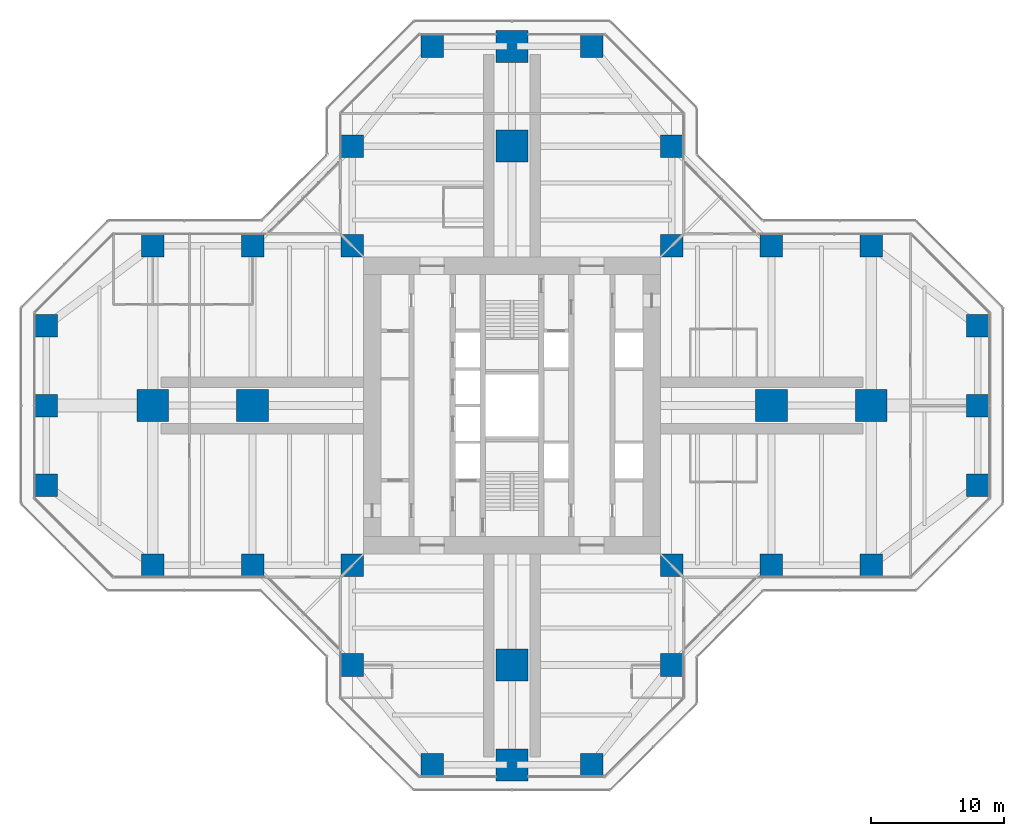
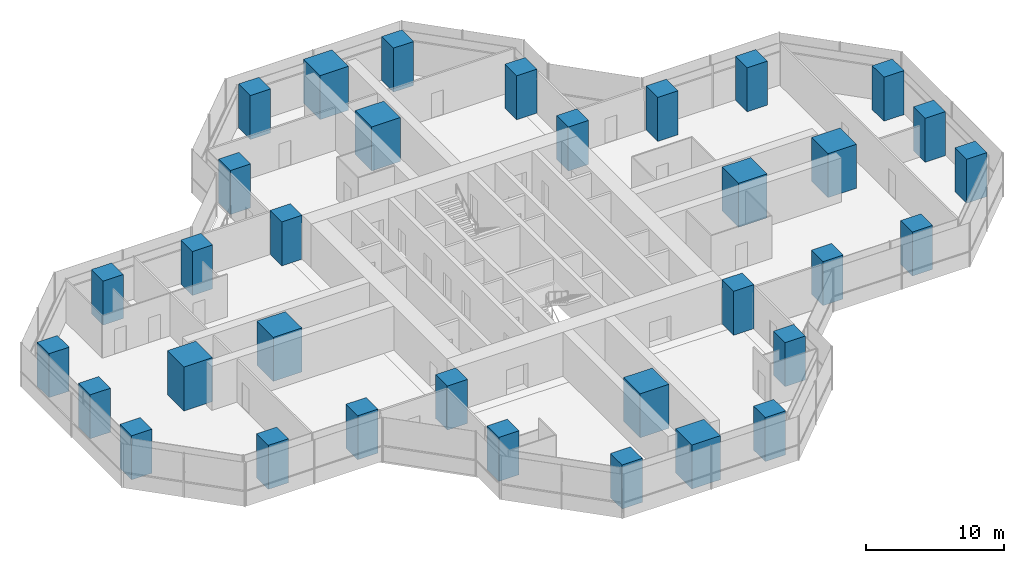
# One storey, part 1 of 19: 34 columns.
"""IFC4 building model written with IfcOpenShell, lengths in metres."""

from ifc_helpers import new_model, si_unit, direction, frame, origin, origin_2d, place, context, subcontext, project, spatial, rectangle, extrude, material, material_profile, profile_set, type_object, element, save


model = new_model("IFC4")

# Units and contexts
model_context = context("Model", 3, precision=1e-05, world=origin(), true_north=direction((0.0, 1.0)))
body_context = subcontext(model_context, "Body", "Model", "MODEL_VIEW")
ifc_project = project(units=[si_unit("LENGTHUNIT", "METRE"), si_unit("AREAUNIT", "SQUARE_METRE"), si_unit("VOLUMEUNIT", "CUBIC_METRE"), si_unit("PLANEANGLEUNIT", "RADIAN"), si_unit("MASSUNIT", "GRAM", prefix="KILO")], contexts=[model_context])

# Site, building, storey
site_placement = place(None, origin())
site = spatial("IfcSite", under=ifc_project, at=site_placement, CompositionType="ELEMENT")
building_placement = place(site_placement, origin())
building = spatial("IfcBuilding", under=site, at=building_placement, Name="Mizan Broadcast Tower", CompositionType="ELEMENT")
storey_placement = place(building_placement, frame((0.0, 0.0, 167.10009765625)))
storey = spatial("IfcBuildingStorey", under=building, at=storey_placement, Name="L38", CompositionType="ELEMENT", Elevation=167.10009765625)

# Columns
ifc_material_1 = material(Name="Concrete C70/85", Category="concrete")
ifc_material_profile_1 = material_profile(ifc_material_1, rectangle(XDim=1.699951171875, YDim=1.699951171875, at=origin_2d()), Name="RC 1700x1700")
ifc_profile_set_1 = profile_set([ifc_material_profile_1], Name="Concrete C70/85")
column_type_1 = type_object("IfcColumnType", Name="RC COLUMN 1700x1700 C70/85", PredefinedType="COLUMN", material=ifc_profile_set_1)
for number, where, z_axis, x_axis, name in (
    (1, (-6.0, -27.0, 0.0), (0.0, 0.0, 1.0), (1.0, 0.0, 0.0), "Column 5/B L38"),
    (2, (6.0, -27.0, 0.0), (0.0, 0.0, 1.0), (1.0, 0.0, 0.0), "Column 7/B L38"),
    (3, (-12.0, -19.5, 0.0), (0.0, 0.0, 1.0), (1.0, 0.0, 0.0), "Column 4/C L38"),
    (4, (12.0, -19.5, 0.0), (0.0, 0.0, 1.0), (1.0, 0.0, 0.0), "Column 8/C L38"),
    (5, (-27.0, -12.0, 0.0), (0.0, 0.0, 1.0), (1.0, 0.0, 0.0), "Column 2/D L38"),
    (6, (-19.5, -12.0, 0.0), (0.0, 0.0, 1.0), (1.0, 0.0, 0.0), "Column 3/D L38"),
    (7, (-12.0, -12.0, 0.0), (0.0, 0.0, 1.0), (1.0, 0.0, 0.0), "Column 4/D L38"),
    (8, (12.0, -12.0, 0.0), (0.0, 0.0, 1.0), (1.0, 0.0, 0.0), "Column 8/D L38"),
    (9, (19.5, -12.0, 0.0), (0.0, 0.0, 1.0), (1.0, 0.0, 0.0), "Column 9/D L38"),
    (10, (27.0, -12.0, 0.0), (0.0, 0.0, 1.0), (1.0, 0.0, 0.0), "Column 10/D L38"),
    (11, (-35.0, -6.0, 0.0), (0.0, 0.0, 1.0), (1.0, 0.0, 0.0), "Column 1/E L38"),
    (12, (35.0, -6.0, 0.0), (0.0, 0.0, 1.0), (1.0, 0.0, 0.0), "Column 11/E L38"),
    (13, (-35.0, 0.0, 0.0), (0.0, 0.0, 1.0), (1.0, 0.0, 0.0), "Column 1/F L38"),
    (14, (35.0, 0.0, 0.0), (0.0, 0.0, 1.0), (1.0, 0.0, 0.0), "Column 11/F L38"),
    (15, (-35.0, 6.0, 0.0), (0.0, 0.0, 1.0), (1.0, 0.0, 0.0), "Column 1/G L38"),
    (16, (35.0, 6.0, 0.0), (0.0, 0.0, 1.0), (1.0, 0.0, 0.0), "Column 11/G L38"),
    (17, (-27.0, 12.0, 0.0), (0.0, 0.0, 1.0), (1.0, 0.0, 0.0), "Column 2/H L38"),
    (18, (-19.5, 12.0, 0.0), (0.0, 0.0, 1.0), (1.0, 0.0, 0.0), "Column 3/H L38"),
    (19, (-12.0, 12.0, 0.0), (0.0, 0.0, 1.0), (1.0, 0.0, 0.0), "Column 4/H L38"),
    (20, (12.0, 12.0, 0.0), (0.0, 0.0, 1.0), (1.0, 0.0, 0.0), "Column 8/H L38"),
    (21, (19.5, 12.0, 0.0), (0.0, 0.0, 1.0), (1.0, 0.0, 0.0), "Column 9/H L38"),
    (22, (27.0, 12.0, 0.0), (0.0, 0.0, 1.0), (1.0, 0.0, 0.0), "Column 10/H L38"),
    (23, (-12.0, 19.5, 0.0), (0.0, 0.0, 1.0), (1.0, 0.0, 0.0), "Column 4/J L38"),
    (24, (12.0, 19.5, 0.0), (0.0, 0.0, 1.0), (1.0, 0.0, 0.0), "Column 8/J L38"),
    (25, (-6.0, 27.0, 0.0), (0.0, 0.0, 1.0), (1.0, 0.0, 0.0), "Column 5/K L38"),
    (26, (6.0, 27.0, 0.0), (0.0, 0.0, 1.0), (1.0, 0.0, 0.0), "Column 7/K L38"),
):
    element("IfcColumn", number, at=place(storey_placement, frame(where, z_axis=z_axis, x_axis=x_axis)), inside=storey, type_object=column_type_1, Name=name, PredefinedType="COLUMN", context=body_context, shape_type="SweptSolid", body=[
        extrude(rectangle(XDim=1.699951171875, YDim=1.699951171875, at=origin_2d()), origin(), (0.0, 0.0, 1.0), 3.89990234375),
    ])
ifc_material_2 = material(Name="Concrete C70/85", Category="concrete")
ifc_material_profile_2 = material_profile(ifc_material_2, rectangle(XDim=2.39990234375, YDim=2.39990234375, at=origin_2d()), Name="RC 2400x2400")
ifc_profile_set_2 = profile_set([ifc_material_profile_2], Name="Concrete C70/85")
column_type_2 = type_object("IfcColumnType", Name="RC COLUMN 2400x2400 C70/85", PredefinedType="COLUMN", material=ifc_profile_set_2)
for number, where, z_axis, x_axis, name in (
    (27, (0.0, -27.0, 0.0), (0.0, 0.0, 1.0), (1.0, 0.0, 0.0), "Column 6/B L38"),
    (28, (0.0, -19.5, 0.0), (0.0, 0.0, 1.0), (1.0, 0.0, 0.0), "Column 6/C L38"),
    (29, (-27.0, 0.0, 0.0), (0.0, 0.0, 1.0), (1.0, 0.0, 0.0), "Column 2/F L38"),
    (30, (-19.5, 0.0, 0.0), (0.0, 0.0, 1.0), (1.0, 0.0, 0.0), "Column 3/F L38"),
    (31, (19.5, 0.0, 0.0), (0.0, 0.0, 1.0), (1.0, 0.0, 0.0), "Column 9/F L38"),
    (32, (27.0, 0.0, 0.0), (0.0, 0.0, 1.0), (1.0, 0.0, 0.0), "Column 10/F L38"),
    (33, (0.0, 19.5, 0.0), (0.0, 0.0, 1.0), (1.0, 0.0, 0.0), "Column 6/J L38"),
    (34, (0.0, 27.0, 0.0), (0.0, 0.0, 1.0), (1.0, 0.0, 0.0), "Column 6/K L38"),
):
    element("IfcColumn", number, at=place(storey_placement, frame(where, z_axis=z_axis, x_axis=x_axis)), inside=storey, type_object=column_type_2, Name=name, PredefinedType="COLUMN", context=body_context, shape_type="SweptSolid", body=[
        extrude(rectangle(XDim=2.39990234375, YDim=2.39990234375, at=origin_2d()), origin(), (0.0, 0.0, 1.0), 3.89990234375),
    ])

save(model, "model.ifc")
